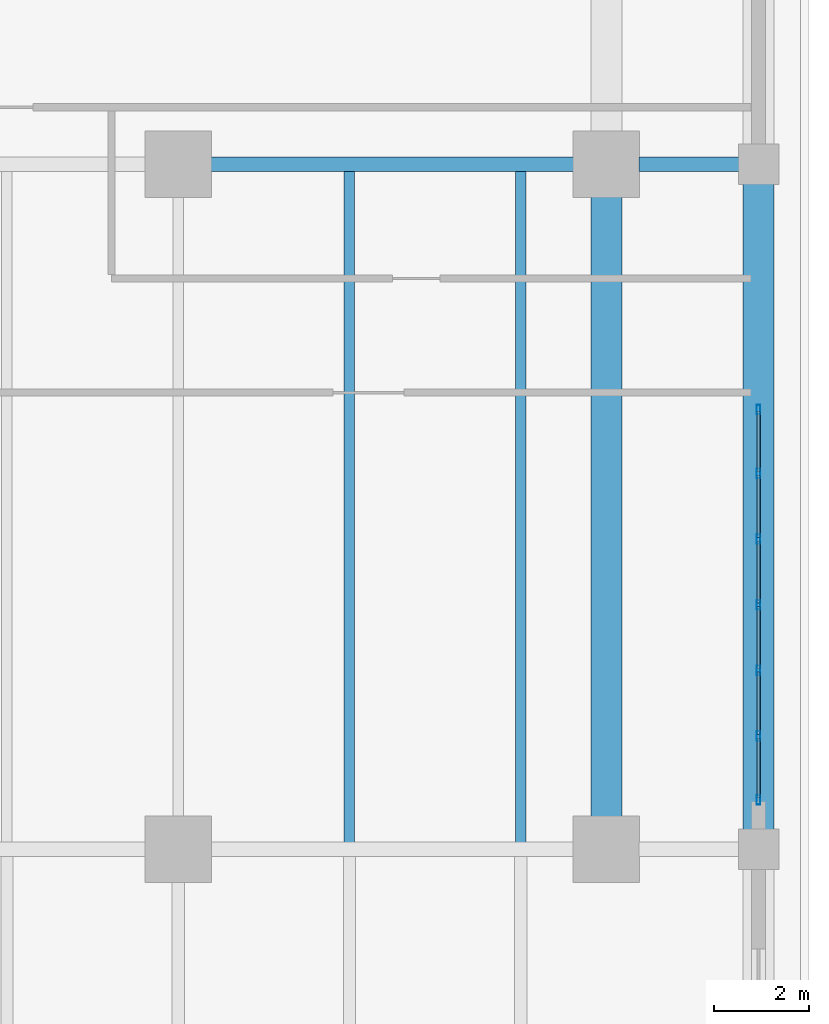
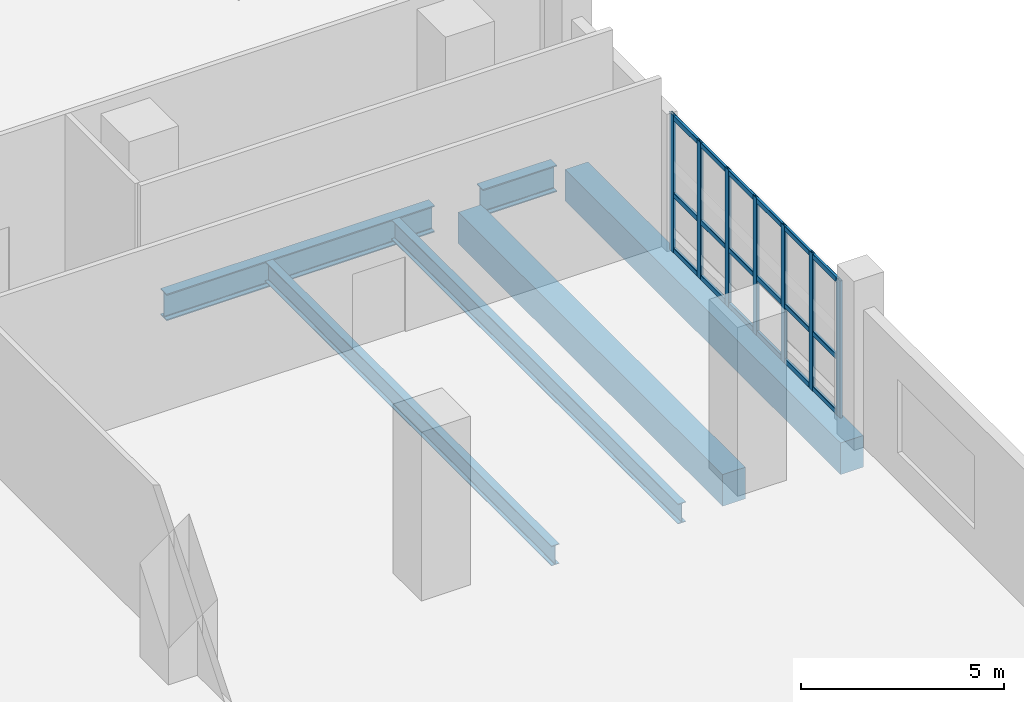
# One storey, part 15 of 25: 25 members, 6 beams, 1 element without a shape of its own.
"""IFC4 building model written with IfcOpenShell, lengths in metres."""

from ifc_helpers import new_model, si_unit, direction, frame, origin, origin_2d, place, context, subcontext, project, spatial, rectangle, hollow_rectangle, i_section, extrude, material, layer, layer_set, material_profile, profile_set, type_object, element, aggregate, save


model = new_model("IFC4")

# Units and contexts
model_context = context("Model", 3, precision=1e-05, world=origin(), true_north=direction((0.0, 1.0)))
body_context = subcontext(model_context, "Body", "Model", "MODEL_VIEW")
ifc_project = project(units=[si_unit("LENGTHUNIT", "METRE"), si_unit("AREAUNIT", "SQUARE_METRE"), si_unit("VOLUMEUNIT", "CUBIC_METRE"), si_unit("PLANEANGLEUNIT", "RADIAN"), si_unit("MASSUNIT", "GRAM", prefix="KILO")], contexts=[model_context])

# Site, building, storey
site_placement = place(None, origin())
site = spatial("IfcSite", under=ifc_project, at=site_placement, CompositionType="ELEMENT")
building_placement = place(site_placement, origin())
building = spatial("IfcBuilding", under=site, at=building_placement, Name="Kaelvorn Grand Hotel", CompositionType="ELEMENT")
storey_placement = place(building_placement, frame((0.0, 0.0, 14.0)))
storey = spatial("IfcBuildingStorey", under=building, at=storey_placement, Name="L02", CompositionType="ELEMENT", Elevation=14.0)

# Beams
ifc_material_1 = material(Name="Steel S355", Category="steel")
ifc_material_profile_1 = material_profile(ifc_material_1, i_section(OverallWidth=0.300048828125, OverallDepth=0.800048828125, WebThickness=0.017578125, FlangeThickness=0.032958984375, FilletRadius=0.030029296875, at=origin_2d()), Name="HEB 800")
ifc_profile_set_1 = profile_set([ifc_material_profile_1], Name="Steel S355")
beam_type_1 = type_object("IfcBeamType", Name="BM-G-HEB800-S355", PredefinedType="BEAM", material=ifc_profile_set_1)
beam_1_placement = place(storey_placement, frame((75.68505859375, 29.39990234375, -0.719970703125), z_axis=(1.0, 0.0, 0.0), x_axis=(0.0, 1.0, 0.0)))
element("IfcBeam", 1, at=beam_1_placement, inside=storey, type_object=beam_type_1, Name="L02 East Core Wing Steel Girder G-29E 02", PredefinedType="BEAM", context=body_context, shape_type="SweptSolid", body=[
    extrude(i_section(OverallWidth=0.300048828125, OverallDepth=0.800048828125, WebThickness=0.017578125, FlangeThickness=0.032958984375, FilletRadius=0.030029296875, at=origin_2d()), origin(), (0.0, 0.0, 1.0), 7.6298828125),
])
beam_2_placement = place(storey_placement, frame((84.68505859375, 29.39990234375, -0.719970703125), z_axis=(1.0, 0.0, 0.0), x_axis=(0.0, 1.0, 0.0)))
element("IfcBeam", 2, at=beam_2_placement, inside=storey, type_object=beam_type_1, Name="L02 East Core Wing Steel Girder G-29E 03", PredefinedType="BEAM", context=body_context, shape_type="SweptSolid", body=[
    extrude(i_section(OverallWidth=0.300048828125, OverallDepth=0.800048828125, WebThickness=0.017578125, FlangeThickness=0.032958984375, FilletRadius=0.030029296875, at=origin_2d()), origin(), (0.0, 0.0, 1.0), 2.10498046875),
])
ifc_material_profile_2 = material_profile(ifc_material_1, i_section(OverallWidth=0.219970703125, OverallDepth=0.60009765625, WebThickness=0.011962890625, FlangeThickness=0.01904296875, FilletRadius=0.02392578125, at=origin_2d()), Name="IPE 600")
ifc_profile_set_2 = profile_set([ifc_material_profile_2], Name="Steel S355")
beam_type_2 = type_object("IfcBeamType", Name="BM-J-IPE600-S355", PredefinedType="JOIST", material=ifc_profile_set_2)
for number, where, z_axis, x_axis, name in (
    (3, (78.60009765625, 15.135009765625, -0.6201171875), (0.0, 1.0, 0.0), (-1.0, 0.0, 0.0), "L02 Composite Floor Joist JM-22"),
    (4, (82.199951171875, 15.135009765625, -0.6201171875), (0.0, 1.0, 0.0), (-1.0, 0.0, 0.0), "L02 Composite Floor Joist JM-23"),
):
    element("IfcBeam", number, at=place(storey_placement, frame(where, z_axis=z_axis, x_axis=x_axis)), inside=storey, type_object=beam_type_2, Name=name, PredefinedType="JOIST", context=body_context, shape_type="SweptSolid", body=[
        extrude(i_section(OverallWidth=0.219970703125, OverallDepth=0.60009765625, WebThickness=0.011962890625, FlangeThickness=0.01904296875, FilletRadius=0.02392578125, at=origin_2d()), origin(), (0.0, 0.0, 1.0), 14.1298828125),
    ])
ifc_material_2 = material(Name="Concrete C60/75", Category="concrete")
ifc_material_profile_3 = material_profile(ifc_material_2, rectangle(XDim=0.64990234375, YDim=0.949951171875, at=origin_2d()), Name="RC SPANDREL 650x950")
ifc_profile_set_3 = profile_set([ifc_material_profile_3], Name="Concrete C60/75")
beam_type_3 = type_object("IfcBeamType", Name="BM-SP-650x950-C60", PredefinedType="SPANDREL", material=ifc_profile_set_3)
beam_3_placement = place(storey_placement, frame((87.199951171875, 15.409912109375, -0.794921875), z_axis=(0.0, 1.0, 0.0), x_axis=(-1.0, 0.0, 0.0)))
element("IfcBeam", 5, at=beam_3_placement, inside=storey, type_object=beam_type_3, Name="L02 East Perimeter Spandrel 02", PredefinedType="SPANDREL", context=body_context, shape_type="SweptSolid", body=[
    extrude(rectangle(XDim=0.64990234375, YDim=0.949951171875, at=origin_2d()), origin(), (0.0, 0.0, 1.0), 13.580078125),
])
beam_4_placement = place(storey_placement, frame((84.0, 15.68505859375, -0.794921875), z_axis=(0.0, 1.0, 0.0), x_axis=(-1.0, 0.0, 0.0)))
element("IfcBeam", 6, at=beam_4_placement, inside=storey, type_object=beam_type_3, Name="L02 Tower Wing Girder TE 01", PredefinedType="SPANDREL", context=body_context, shape_type="SweptSolid", body=[
    extrude(rectangle(XDim=0.64990234375, YDim=0.949951171875, at=origin_2d()), origin(), (0.0, 0.0, 1.0), 13.030029296875),
])

# Curtain wall, members
ifc_material_3 = material(Name="Anodised Aluminium", Category="aluminium")
ifc_layer = layer(ifc_material_3, 0.199951171875)
ifc_layer_set = layer_set([ifc_layer], Name="Anodised Aluminium")
curtain_wall_type = type_object("IfcCurtainWallType", Name="CW-SYS2", PredefinedType="NOTDEFINED", material=ifc_layer_set)
curtain_wall_placement = place(storey_placement, origin())
curtain_wall = element("IfcCurtainWall", 7, at=curtain_wall_placement, inside=storey, type_object=curtain_wall_type, Name="L02 Unitised Curtain Wall CW2 (CW-L02-E-01)", PredefinedType="NOTDEFINED")
ifc_material_profile_4 = material_profile(ifc_material_3, hollow_rectangle(XDim=0.074951171875, YDim=0.199951171875, WallThickness=0.00390625, InnerFilletRadius=0.00390625, OuterFilletRadius=0.008056640625, at=origin_2d()), Name="ALU MULL 75x200")
ifc_profile_set_4 = profile_set([ifc_material_profile_4], Name="Anodised Aluminium")
member_type_1 = type_object("IfcMemberType", Name="CW-SYS2-MULL", PredefinedType="MULLION", material=ifc_profile_set_4)
member_1_placement = place(storey_placement, frame((87.199951171875, 16.03759765625, 0.0), z_axis=(0.0, 0.0, 1.0), x_axis=(-1.0, 0.0, 0.0)))
member_1 = element("IfcMember", 8, at=member_1_placement, type_object=member_type_1, Name="CW2 mullion 1", PredefinedType="MULLION", context=body_context, shape_type="SweptSolid", body=[
    extrude(hollow_rectangle(XDim=0.074951171875, YDim=0.199951171875, WallThickness=0.00390625, InnerFilletRadius=0.00390625, OuterFilletRadius=0.008056640625, at=origin_2d()), origin(), (0.0, 0.0, 1.0), 4.1298828125),
])
member_2_placement = place(storey_placement, frame((87.199951171875, 17.3798828125, 0.0), z_axis=(0.0, 0.0, 1.0), x_axis=(-1.0, 0.0, 0.0)))
member_2 = element("IfcMember", 9, at=member_2_placement, type_object=member_type_1, Name="CW2 mullion 2", PredefinedType="MULLION", context=body_context, shape_type="SweptSolid", body=[
    extrude(hollow_rectangle(XDim=0.074951171875, YDim=0.199951171875, WallThickness=0.00390625, InnerFilletRadius=0.00390625, OuterFilletRadius=0.008056640625, at=origin_2d()), origin(), (0.0, 0.0, 1.0), 4.1298828125),
])
member_3_placement = place(storey_placement, frame((87.199951171875, 18.760009765625, 0.0), z_axis=(0.0, 0.0, 1.0), x_axis=(-1.0, 0.0, 0.0)))
member_3 = element("IfcMember", 10, at=member_3_placement, type_object=member_type_1, Name="CW2 mullion 3", PredefinedType="MULLION", context=body_context, shape_type="SweptSolid", body=[
    extrude(hollow_rectangle(XDim=0.074951171875, YDim=0.199951171875, WallThickness=0.00390625, InnerFilletRadius=0.00390625, OuterFilletRadius=0.008056640625, at=origin_2d()), origin(), (0.0, 0.0, 1.0), 4.1298828125),
])
member_4_placement = place(storey_placement, frame((87.199951171875, 20.139892578125, 0.0), z_axis=(0.0, 0.0, 1.0), x_axis=(-1.0, 0.0, 0.0)))
member_4 = element("IfcMember", 11, at=member_4_placement, type_object=member_type_1, Name="CW2 mullion 4", PredefinedType="MULLION", context=body_context, shape_type="SweptSolid", body=[
    extrude(hollow_rectangle(XDim=0.074951171875, YDim=0.199951171875, WallThickness=0.00390625, InnerFilletRadius=0.00390625, OuterFilletRadius=0.008056640625, at=origin_2d()), origin(), (0.0, 0.0, 1.0), 4.1298828125),
])
member_5_placement = place(storey_placement, frame((87.199951171875, 21.52001953125, 0.0), z_axis=(0.0, 0.0, 1.0), x_axis=(-1.0, 0.0, 0.0)))
member_5 = element("IfcMember", 12, at=member_5_placement, type_object=member_type_1, Name="CW2 mullion 5", PredefinedType="MULLION", context=body_context, shape_type="SweptSolid", body=[
    extrude(hollow_rectangle(XDim=0.074951171875, YDim=0.199951171875, WallThickness=0.00390625, InnerFilletRadius=0.00390625, OuterFilletRadius=0.008056640625, at=origin_2d()), origin(), (0.0, 0.0, 1.0), 4.1298828125),
])
member_6_placement = place(storey_placement, frame((87.199951171875, 22.89990234375, 0.0), z_axis=(0.0, 0.0, 1.0), x_axis=(-1.0, 0.0, 0.0)))
member_6 = element("IfcMember", 13, at=member_6_placement, type_object=member_type_1, Name="CW2 mullion 6", PredefinedType="MULLION", context=body_context, shape_type="SweptSolid", body=[
    extrude(hollow_rectangle(XDim=0.074951171875, YDim=0.199951171875, WallThickness=0.00390625, InnerFilletRadius=0.00390625, OuterFilletRadius=0.008056640625, at=origin_2d()), origin(), (0.0, 0.0, 1.0), 4.1298828125),
])
member_7_placement = place(storey_placement, frame((87.199951171875, 24.242431640625, 0.0), z_axis=(0.0, 0.0, 1.0), x_axis=(-1.0, 0.0, 0.0)))
member_7 = element("IfcMember", 14, at=member_7_placement, type_object=member_type_1, Name="CW2 mullion 7", PredefinedType="MULLION", context=body_context, shape_type="SweptSolid", body=[
    extrude(hollow_rectangle(XDim=0.074951171875, YDim=0.199951171875, WallThickness=0.00390625, InnerFilletRadius=0.00390625, OuterFilletRadius=0.008056640625, at=origin_2d()), origin(), (0.0, 0.0, 1.0), 4.1298828125),
])
ifc_material_profile_5 = material_profile(ifc_material_3, hollow_rectangle(XDim=0.074951171875, YDim=0.14990234375, WallThickness=0.00390625, InnerFilletRadius=0.00390625, OuterFilletRadius=0.008056640625, at=origin_2d()), Name="ALU TRAN 75x150")
ifc_profile_set_5 = profile_set([ifc_material_profile_5], Name="Anodised Aluminium")
member_type_2 = type_object("IfcMemberType", Name="CW-SYS2-TRAN", PredefinedType="NOTDEFINED", material=ifc_profile_set_5)
member_8_placement = place(storey_placement, frame((87.199951171875, 16.074951171875, 0.074951171875), z_axis=(0.0, 1.0, 0.0), x_axis=(-1.0, 0.0, 0.0)))
member_8 = element("IfcMember", 15, at=member_8_placement, type_object=member_type_2, Name="CW2 transom 1.1", ObjectType="TRANSOM", PredefinedType="USERDEFINED", context=body_context, shape_type="SweptSolid", body=[
    extrude(hollow_rectangle(XDim=0.074951171875, YDim=0.14990234375, WallThickness=0.00390625, InnerFilletRadius=0.00390625, OuterFilletRadius=0.008056640625, at=origin_2d()), origin(), (0.0, 0.0, 1.0), 1.267578125),
])
member_9_placement = place(storey_placement, frame((87.199951171875, 16.074951171875, 1.734619140625), z_axis=(0.0, 1.0, 0.0), x_axis=(-1.0, 0.0, 0.0)))
member_9 = element("IfcMember", 16, at=member_9_placement, type_object=member_type_2, Name="CW2 transom 1.2", ObjectType="TRANSOM", PredefinedType="USERDEFINED", context=body_context, shape_type="SweptSolid", body=[
    extrude(hollow_rectangle(XDim=0.074951171875, YDim=0.14990234375, WallThickness=0.00390625, InnerFilletRadius=0.00390625, OuterFilletRadius=0.008056640625, at=origin_2d()), origin(), (0.0, 0.0, 1.0), 1.267578125),
])
member_10_placement = place(storey_placement, frame((87.199951171875, 16.074951171875, 4.054931640625), z_axis=(0.0, 1.0, 0.0), x_axis=(-1.0, 0.0, 0.0)))
member_10 = element("IfcMember", 17, at=member_10_placement, type_object=member_type_2, Name="CW2 transom 1.3", ObjectType="TRANSOM", PredefinedType="USERDEFINED", context=body_context, shape_type="SweptSolid", body=[
    extrude(hollow_rectangle(XDim=0.074951171875, YDim=0.14990234375, WallThickness=0.00390625, InnerFilletRadius=0.00390625, OuterFilletRadius=0.008056640625, at=origin_2d()), origin(), (0.0, 0.0, 1.0), 1.267578125),
])
member_11_placement = place(storey_placement, frame((87.199951171875, 17.41748046875, 0.074951171875), z_axis=(0.0, 1.0, 0.0), x_axis=(-1.0, 0.0, 0.0)))
member_11 = element("IfcMember", 18, at=member_11_placement, type_object=member_type_2, Name="CW2 transom 2.1", ObjectType="TRANSOM", PredefinedType="USERDEFINED", context=body_context, shape_type="SweptSolid", body=[
    extrude(hollow_rectangle(XDim=0.074951171875, YDim=0.14990234375, WallThickness=0.00390625, InnerFilletRadius=0.00390625, OuterFilletRadius=0.008056640625, at=origin_2d()), origin(), (0.0, 0.0, 1.0), 1.304931640625),
])
member_12_placement = place(storey_placement, frame((87.199951171875, 17.41748046875, 1.734619140625), z_axis=(0.0, 1.0, 0.0), x_axis=(-1.0, 0.0, 0.0)))
member_12 = element("IfcMember", 19, at=member_12_placement, type_object=member_type_2, Name="CW2 transom 2.2", ObjectType="TRANSOM", PredefinedType="USERDEFINED", context=body_context, shape_type="SweptSolid", body=[
    extrude(hollow_rectangle(XDim=0.074951171875, YDim=0.14990234375, WallThickness=0.00390625, InnerFilletRadius=0.00390625, OuterFilletRadius=0.008056640625, at=origin_2d()), origin(), (0.0, 0.0, 1.0), 1.304931640625),
])
member_13_placement = place(storey_placement, frame((87.199951171875, 17.41748046875, 4.054931640625), z_axis=(0.0, 1.0, 0.0), x_axis=(-1.0, 0.0, 0.0)))
member_13 = element("IfcMember", 20, at=member_13_placement, type_object=member_type_2, Name="CW2 transom 2.3", ObjectType="TRANSOM", PredefinedType="USERDEFINED", context=body_context, shape_type="SweptSolid", body=[
    extrude(hollow_rectangle(XDim=0.074951171875, YDim=0.14990234375, WallThickness=0.00390625, InnerFilletRadius=0.00390625, OuterFilletRadius=0.008056640625, at=origin_2d()), origin(), (0.0, 0.0, 1.0), 1.304931640625),
])
member_14_placement = place(storey_placement, frame((87.199951171875, 18.797607421875, 0.074951171875), z_axis=(0.0, 1.0, 0.0), x_axis=(-1.0, 0.0, 0.0)))
member_14 = element("IfcMember", 21, at=member_14_placement, type_object=member_type_2, Name="CW2 transom 3.1", ObjectType="TRANSOM", PredefinedType="USERDEFINED", context=body_context, shape_type="SweptSolid", body=[
    extrude(hollow_rectangle(XDim=0.074951171875, YDim=0.14990234375, WallThickness=0.00390625, InnerFilletRadius=0.00390625, OuterFilletRadius=0.008056640625, at=origin_2d()), origin(), (0.0, 0.0, 1.0), 1.304931640625),
])
member_15_placement = place(storey_placement, frame((87.199951171875, 18.797607421875, 1.734619140625), z_axis=(0.0, 1.0, 0.0), x_axis=(-1.0, 0.0, 0.0)))
member_15 = element("IfcMember", 22, at=member_15_placement, type_object=member_type_2, Name="CW2 transom 3.2", ObjectType="TRANSOM", PredefinedType="USERDEFINED", context=body_context, shape_type="SweptSolid", body=[
    extrude(hollow_rectangle(XDim=0.074951171875, YDim=0.14990234375, WallThickness=0.00390625, InnerFilletRadius=0.00390625, OuterFilletRadius=0.008056640625, at=origin_2d()), origin(), (0.0, 0.0, 1.0), 1.304931640625),
])
member_16_placement = place(storey_placement, frame((87.199951171875, 18.797607421875, 4.054931640625), z_axis=(0.0, 1.0, 0.0), x_axis=(-1.0, 0.0, 0.0)))
member_16 = element("IfcMember", 23, at=member_16_placement, type_object=member_type_2, Name="CW2 transom 3.3", ObjectType="TRANSOM", PredefinedType="USERDEFINED", context=body_context, shape_type="SweptSolid", body=[
    extrude(hollow_rectangle(XDim=0.074951171875, YDim=0.14990234375, WallThickness=0.00390625, InnerFilletRadius=0.00390625, OuterFilletRadius=0.008056640625, at=origin_2d()), origin(), (0.0, 0.0, 1.0), 1.304931640625),
])
member_17_placement = place(storey_placement, frame((87.199951171875, 20.177490234375, 0.074951171875), z_axis=(0.0, 1.0, 0.0), x_axis=(-1.0, 0.0, 0.0)))
member_17 = element("IfcMember", 24, at=member_17_placement, type_object=member_type_2, Name="CW2 transom 4.1", ObjectType="TRANSOM", PredefinedType="USERDEFINED", context=body_context, shape_type="SweptSolid", body=[
    extrude(hollow_rectangle(XDim=0.074951171875, YDim=0.14990234375, WallThickness=0.00390625, InnerFilletRadius=0.00390625, OuterFilletRadius=0.008056640625, at=origin_2d()), origin(), (0.0, 0.0, 1.0), 1.304931640625),
])
member_18_placement = place(storey_placement, frame((87.199951171875, 20.177490234375, 1.734619140625), z_axis=(0.0, 1.0, 0.0), x_axis=(-1.0, 0.0, 0.0)))
member_18 = element("IfcMember", 25, at=member_18_placement, type_object=member_type_2, Name="CW2 transom 4.2", ObjectType="TRANSOM", PredefinedType="USERDEFINED", context=body_context, shape_type="SweptSolid", body=[
    extrude(hollow_rectangle(XDim=0.074951171875, YDim=0.14990234375, WallThickness=0.00390625, InnerFilletRadius=0.00390625, OuterFilletRadius=0.008056640625, at=origin_2d()), origin(), (0.0, 0.0, 1.0), 1.304931640625),
])
member_19_placement = place(storey_placement, frame((87.199951171875, 20.177490234375, 4.054931640625), z_axis=(0.0, 1.0, 0.0), x_axis=(-1.0, 0.0, 0.0)))
member_19 = element("IfcMember", 26, at=member_19_placement, type_object=member_type_2, Name="CW2 transom 4.3", ObjectType="TRANSOM", PredefinedType="USERDEFINED", context=body_context, shape_type="SweptSolid", body=[
    extrude(hollow_rectangle(XDim=0.074951171875, YDim=0.14990234375, WallThickness=0.00390625, InnerFilletRadius=0.00390625, OuterFilletRadius=0.008056640625, at=origin_2d()), origin(), (0.0, 0.0, 1.0), 1.304931640625),
])
member_20_placement = place(storey_placement, frame((87.199951171875, 21.5576171875, 0.074951171875), z_axis=(0.0, 1.0, 0.0), x_axis=(-1.0, 0.0, 0.0)))
member_20 = element("IfcMember", 27, at=member_20_placement, type_object=member_type_2, Name="CW2 transom 5.1", ObjectType="TRANSOM", PredefinedType="USERDEFINED", context=body_context, shape_type="SweptSolid", body=[
    extrude(hollow_rectangle(XDim=0.074951171875, YDim=0.14990234375, WallThickness=0.00390625, InnerFilletRadius=0.00390625, OuterFilletRadius=0.008056640625, at=origin_2d()), origin(), (0.0, 0.0, 1.0), 1.304931640625),
])
member_21_placement = place(storey_placement, frame((87.199951171875, 21.5576171875, 1.734619140625), z_axis=(0.0, 1.0, 0.0), x_axis=(-1.0, 0.0, 0.0)))
member_21 = element("IfcMember", 28, at=member_21_placement, type_object=member_type_2, Name="CW2 transom 5.2", ObjectType="TRANSOM", PredefinedType="USERDEFINED", context=body_context, shape_type="SweptSolid", body=[
    extrude(hollow_rectangle(XDim=0.074951171875, YDim=0.14990234375, WallThickness=0.00390625, InnerFilletRadius=0.00390625, OuterFilletRadius=0.008056640625, at=origin_2d()), origin(), (0.0, 0.0, 1.0), 1.304931640625),
])
member_22_placement = place(storey_placement, frame((87.199951171875, 21.5576171875, 4.054931640625), z_axis=(0.0, 1.0, 0.0), x_axis=(-1.0, 0.0, 0.0)))
member_22 = element("IfcMember", 29, at=member_22_placement, type_object=member_type_2, Name="CW2 transom 5.3", ObjectType="TRANSOM", PredefinedType="USERDEFINED", context=body_context, shape_type="SweptSolid", body=[
    extrude(hollow_rectangle(XDim=0.074951171875, YDim=0.14990234375, WallThickness=0.00390625, InnerFilletRadius=0.00390625, OuterFilletRadius=0.008056640625, at=origin_2d()), origin(), (0.0, 0.0, 1.0), 1.304931640625),
])
member_23_placement = place(storey_placement, frame((87.199951171875, 22.9375, 0.074951171875), z_axis=(0.0, 1.0, 0.0), x_axis=(-1.0, 0.0, 0.0)))
member_23 = element("IfcMember", 30, at=member_23_placement, type_object=member_type_2, Name="CW2 transom 6.1", ObjectType="TRANSOM", PredefinedType="USERDEFINED", context=body_context, shape_type="SweptSolid", body=[
    extrude(hollow_rectangle(XDim=0.074951171875, YDim=0.14990234375, WallThickness=0.00390625, InnerFilletRadius=0.00390625, OuterFilletRadius=0.008056640625, at=origin_2d()), origin(), (0.0, 0.0, 1.0), 1.267578125),
])
member_24_placement = place(storey_placement, frame((87.199951171875, 22.9375, 1.734619140625), z_axis=(0.0, 1.0, 0.0), x_axis=(-1.0, 0.0, 0.0)))
member_24 = element("IfcMember", 31, at=member_24_placement, type_object=member_type_2, Name="CW2 transom 6.2", ObjectType="TRANSOM", PredefinedType="USERDEFINED", context=body_context, shape_type="SweptSolid", body=[
    extrude(hollow_rectangle(XDim=0.074951171875, YDim=0.14990234375, WallThickness=0.00390625, InnerFilletRadius=0.00390625, OuterFilletRadius=0.008056640625, at=origin_2d()), origin(), (0.0, 0.0, 1.0), 1.267578125),
])
member_25_placement = place(storey_placement, frame((87.199951171875, 22.9375, 4.054931640625), z_axis=(0.0, 1.0, 0.0), x_axis=(-1.0, 0.0, 0.0)))
member_25 = element("IfcMember", 32, at=member_25_placement, type_object=member_type_2, Name="CW2 transom 6.3", ObjectType="TRANSOM", PredefinedType="USERDEFINED", context=body_context, shape_type="SweptSolid", body=[
    extrude(hollow_rectangle(XDim=0.074951171875, YDim=0.14990234375, WallThickness=0.00390625, InnerFilletRadius=0.00390625, OuterFilletRadius=0.008056640625, at=origin_2d()), origin(), (0.0, 0.0, 1.0), 1.267578125),
])
aggregate(curtain_wall, [member_1, member_2, member_3, member_4, member_5, member_6, member_7, member_8, member_9, member_10, member_11, member_12, member_13, member_14, member_15, member_16, member_17, member_18, member_19, member_20, member_21, member_22, member_23, member_24, member_25])

save(model, "model.ifc")
